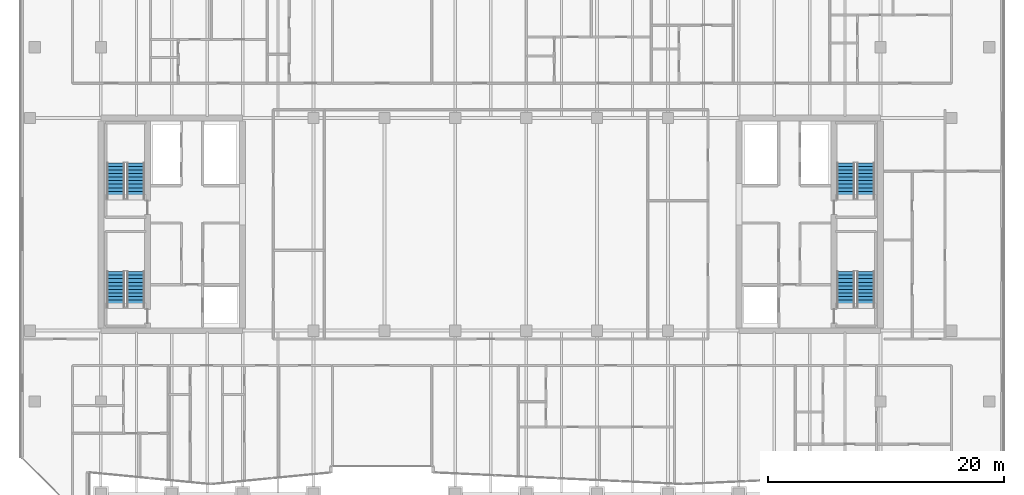
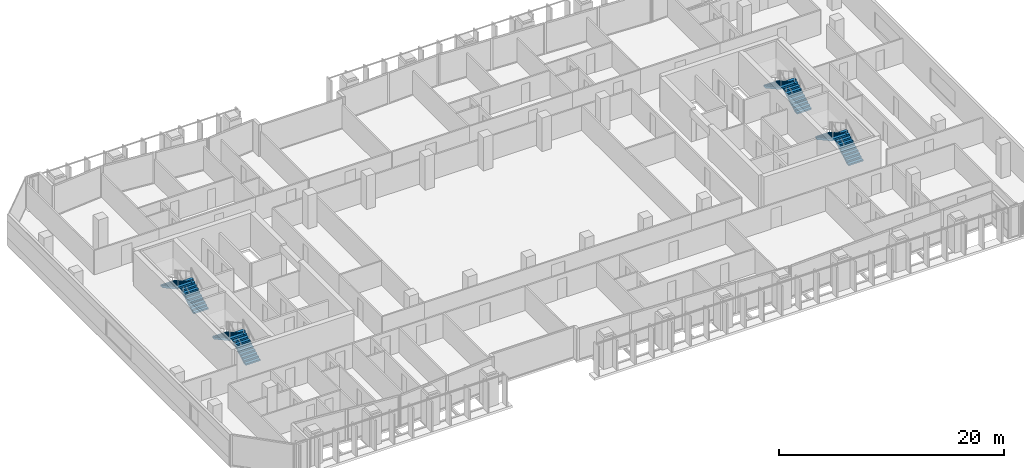
# One storey, part 33 of 39: 8 stair flights, 4 elements without a shape of their own.
"""IFC4 building model written with IfcOpenShell, lengths in metres."""

from ifc_helpers import new_model, si_unit, direction, frame, origin, place, context, subcontext, project, spatial, polyline, outline, extrude, material, type_object, element, aggregate, save


model = new_model("IFC4")

# Units and contexts
model_context = context("Model", 3, precision=1e-05, world=origin(), true_north=direction((0.0, 1.0)))
body_context = subcontext(model_context, "Body", "Model", "MODEL_VIEW")
ifc_project = project(units=[si_unit("LENGTHUNIT", "METRE"), si_unit("AREAUNIT", "SQUARE_METRE"), si_unit("VOLUMEUNIT", "CUBIC_METRE"), si_unit("PLANEANGLEUNIT", "RADIAN"), si_unit("MASSUNIT", "GRAM", prefix="KILO")], contexts=[model_context])

# Site, building, storey
site_placement = place(None, origin())
site = spatial("IfcSite", under=ifc_project, at=site_placement, CompositionType="ELEMENT")
building_placement = place(site_placement, origin())
building = spatial("IfcBuilding", under=site, at=building_placement, Name="Tanjung Sevakor Pilgrim Tower", CompositionType="ELEMENT")
storey_placement = place(building_placement, frame((0.0, 0.0, 112.199951171875)))
storey = spatial("IfcBuildingStorey", under=building, at=storey_placement, Name="L31", CompositionType="ELEMENT", Elevation=112.199951171875)

# Stair, stair flights
ifc_material_1 = material(Name="Concrete C40/50", Category="concrete")
stair_type = type_object("IfcStairType", Name="STAIR-ST-CR150", PredefinedType="HALF_TURN_STAIR", material=ifc_material_1)
stair_1_placement = place(storey_placement, origin())
stair_1 = element("IfcStair", 1, at=stair_1_placement, inside=storey, type_object=stair_type, Name="L31 West Core Exit Stair 1", PredefinedType="HALF_TURN_STAIR")
ifc_material_2 = material(Name="Concrete C40/50", Category="concrete")
stair_flight_type = type_object("IfcStairFlightType", Name="FLIGHT-ST-CR150", PredefinedType="STRAIGHT", material=ifc_material_2)
stair_flight_1_placement = place(storey_placement, frame((26.949951171875, 26.60009765625, 0.0), z_axis=(0.0, 0.0, 1.0), x_axis=(0.0, 1.0, 0.0)))
stair_flight_1 = element("IfcStairFlight", 2, at=stair_flight_1_placement, type_object=stair_flight_type, Name="TS-W1 flight 1", NumberOfRisers=11, NumberOfTreads=10, PredefinedType="STRAIGHT", RiserHeight=0.165, TreadLength=0.3, context=body_context, shape_type="SweptSolid", body=[
    extrude(outline(polyline([(0.0, 0.0), (0.0, 0.1650390625), (0.300048828125, 0.1650390625), (0.300048828125, 0.330078125), (0.60009765625, 0.330078125), (0.60009765625, 0.4951171875), (0.89990234375, 0.4951171875), (0.89990234375, 0.659912109375), (1.199951171875, 0.659912109375), (1.199951171875, 0.824951171875), (1.5, 0.824951171875), (1.5, 0.989990234375), (1.800048828125, 0.989990234375), (1.800048828125, 1.155029296875), (2.10009765625, 1.155029296875), (2.10009765625, 1.320068359375), (2.39990234375, 1.320068359375), (2.39990234375, 1.485107421875), (2.699951171875, 1.485107421875), (2.699951171875, 1.64990234375), (3.0, 1.64990234375), (3.0, 1.81494140625), (3.0, 1.467529296875), (0.331787109375, 0.0), (0.0, 0.0)])), frame((0.0, 0.75, 0.0), z_axis=(0.0, -1.0, 0.0), x_axis=(1.0, 0.0, 0.0)), (0.0, 0.0, 1.0), 1.5),
])
stair_flight_2_placement = place(storey_placement, frame((25.25, 29.60009765625, 1.81494140625), z_axis=(0.0, 0.0, 1.0), x_axis=(0.0, -1.0, 0.0)))
stair_flight_2 = element("IfcStairFlight", 3, at=stair_flight_2_placement, type_object=stair_flight_type, Name="TS-W1 flight 2", NumberOfRisers=11, NumberOfTreads=10, PredefinedType="STRAIGHT", RiserHeight=0.165, TreadLength=0.3, context=body_context, shape_type="SweptSolid", body=[
    extrude(outline(polyline([(0.0, 0.0), (0.0, 0.1650390625), (0.300048828125, 0.1650390625), (0.300048828125, 0.330078125), (0.60009765625, 0.330078125), (0.60009765625, 0.4951171875), (0.89990234375, 0.4951171875), (0.89990234375, 0.659912109375), (1.199951171875, 0.659912109375), (1.199951171875, 0.824951171875), (1.5, 0.824951171875), (1.5, 0.989990234375), (1.800048828125, 0.989990234375), (1.800048828125, 1.155029296875), (2.10009765625, 1.155029296875), (2.10009765625, 1.320068359375), (2.39990234375, 1.320068359375), (2.39990234375, 1.485107421875), (2.699951171875, 1.485107421875), (2.699951171875, 1.64990234375), (3.0, 1.64990234375), (3.0, 1.81494140625), (3.0, 1.467529296875), (0.331787109375, 0.0), (0.0, 0.0)])), frame((0.0, 0.75, 0.0), z_axis=(0.0, -1.0, 0.0), x_axis=(1.0, 0.0, 0.0)), (0.0, 0.0, 1.0), 1.5),
])
aggregate(stair_1, [stair_flight_1, stair_flight_2])

stair_2_placement = place(storey_placement, origin())
stair_2 = element("IfcStair", 4, at=stair_2_placement, inside=storey, type_object=stair_type, Name="L31 West Core Exit Stair 2", PredefinedType="HALF_TURN_STAIR")
stair_flight_3_placement = place(storey_placement, frame((26.949951171875, 35.800048828125, 0.0), z_axis=(0.0, 0.0, 1.0), x_axis=(0.0, 1.0, 0.0)))
stair_flight_3 = element("IfcStairFlight", 5, at=stair_flight_3_placement, type_object=stair_flight_type, Name="TS-W2 flight 1", NumberOfRisers=11, NumberOfTreads=10, PredefinedType="STRAIGHT", RiserHeight=0.165, TreadLength=0.3, context=body_context, shape_type="SweptSolid", body=[
    extrude(outline(polyline([(0.0, 0.0), (0.0, 0.1650390625), (0.300048828125, 0.1650390625), (0.300048828125, 0.330078125), (0.60009765625, 0.330078125), (0.60009765625, 0.4951171875), (0.89990234375, 0.4951171875), (0.89990234375, 0.659912109375), (1.199951171875, 0.659912109375), (1.199951171875, 0.824951171875), (1.5, 0.824951171875), (1.5, 0.989990234375), (1.800048828125, 0.989990234375), (1.800048828125, 1.155029296875), (2.10009765625, 1.155029296875), (2.10009765625, 1.320068359375), (2.39990234375, 1.320068359375), (2.39990234375, 1.485107421875), (2.699951171875, 1.485107421875), (2.699951171875, 1.64990234375), (3.0, 1.64990234375), (3.0, 1.81494140625), (3.0, 1.467529296875), (0.331787109375, 0.0), (0.0, 0.0)])), frame((0.0, 0.75, 0.0), z_axis=(0.0, -1.0, 0.0), x_axis=(1.0, 0.0, 0.0)), (0.0, 0.0, 1.0), 1.5),
])
stair_flight_4_placement = place(storey_placement, frame((25.25, 38.800048828125, 1.81494140625), z_axis=(0.0, 0.0, 1.0), x_axis=(0.0, -1.0, 0.0)))
stair_flight_4 = element("IfcStairFlight", 6, at=stair_flight_4_placement, type_object=stair_flight_type, Name="TS-W2 flight 2", NumberOfRisers=11, NumberOfTreads=10, PredefinedType="STRAIGHT", RiserHeight=0.165, TreadLength=0.3, context=body_context, shape_type="SweptSolid", body=[
    extrude(outline(polyline([(0.0, 0.0), (0.0, 0.1650390625), (0.300048828125, 0.1650390625), (0.300048828125, 0.330078125), (0.60009765625, 0.330078125), (0.60009765625, 0.4951171875), (0.89990234375, 0.4951171875), (0.89990234375, 0.659912109375), (1.199951171875, 0.659912109375), (1.199951171875, 0.824951171875), (1.5, 0.824951171875), (1.5, 0.989990234375), (1.800048828125, 0.989990234375), (1.800048828125, 1.155029296875), (2.10009765625, 1.155029296875), (2.10009765625, 1.320068359375), (2.39990234375, 1.320068359375), (2.39990234375, 1.485107421875), (2.699951171875, 1.485107421875), (2.699951171875, 1.64990234375), (3.0, 1.64990234375), (3.0, 1.81494140625), (3.0, 1.467529296875), (0.331787109375, 0.0), (0.0, 0.0)])), frame((0.0, 0.75, 0.0), z_axis=(0.0, -1.0, 0.0), x_axis=(1.0, 0.0, 0.0)), (0.0, 0.0, 1.0), 1.5),
])
aggregate(stair_2, [stair_flight_3, stair_flight_4])

stair_3_placement = place(storey_placement, origin())
stair_3 = element("IfcStair", 7, at=stair_3_placement, inside=storey, type_object=stair_type, Name="L31 East Core Exit Stair 1", PredefinedType="HALF_TURN_STAIR")
stair_flight_5_placement = place(storey_placement, frame((88.75, 26.60009765625, 0.0), z_axis=(0.0, 0.0, 1.0), x_axis=(0.0, 1.0, 0.0)))
stair_flight_5 = element("IfcStairFlight", 8, at=stair_flight_5_placement, type_object=stair_flight_type, Name="TS-E1 flight 1", NumberOfRisers=11, NumberOfTreads=10, PredefinedType="STRAIGHT", RiserHeight=0.165, TreadLength=0.3, context=body_context, shape_type="SweptSolid", body=[
    extrude(outline(polyline([(0.0, 0.0), (0.0, 0.1650390625), (0.300048828125, 0.1650390625), (0.300048828125, 0.330078125), (0.60009765625, 0.330078125), (0.60009765625, 0.4951171875), (0.89990234375, 0.4951171875), (0.89990234375, 0.659912109375), (1.199951171875, 0.659912109375), (1.199951171875, 0.824951171875), (1.5, 0.824951171875), (1.5, 0.989990234375), (1.800048828125, 0.989990234375), (1.800048828125, 1.155029296875), (2.10009765625, 1.155029296875), (2.10009765625, 1.320068359375), (2.39990234375, 1.320068359375), (2.39990234375, 1.485107421875), (2.699951171875, 1.485107421875), (2.699951171875, 1.64990234375), (3.0, 1.64990234375), (3.0, 1.81494140625), (3.0, 1.467529296875), (0.331787109375, 0.0), (0.0, 0.0)])), frame((0.0, 0.75, 0.0), z_axis=(0.0, -1.0, 0.0), x_axis=(1.0, 0.0, 0.0)), (0.0, 0.0, 1.0), 1.5),
])
stair_flight_6_placement = place(storey_placement, frame((87.050048828125, 29.60009765625, 1.81494140625), z_axis=(0.0, 0.0, 1.0), x_axis=(0.0, -1.0, 0.0)))
stair_flight_6 = element("IfcStairFlight", 9, at=stair_flight_6_placement, type_object=stair_flight_type, Name="TS-E1 flight 2", NumberOfRisers=11, NumberOfTreads=10, PredefinedType="STRAIGHT", RiserHeight=0.165, TreadLength=0.3, context=body_context, shape_type="SweptSolid", body=[
    extrude(outline(polyline([(0.0, 0.0), (0.0, 0.1650390625), (0.300048828125, 0.1650390625), (0.300048828125, 0.330078125), (0.60009765625, 0.330078125), (0.60009765625, 0.4951171875), (0.89990234375, 0.4951171875), (0.89990234375, 0.659912109375), (1.199951171875, 0.659912109375), (1.199951171875, 0.824951171875), (1.5, 0.824951171875), (1.5, 0.989990234375), (1.800048828125, 0.989990234375), (1.800048828125, 1.155029296875), (2.10009765625, 1.155029296875), (2.10009765625, 1.320068359375), (2.39990234375, 1.320068359375), (2.39990234375, 1.485107421875), (2.699951171875, 1.485107421875), (2.699951171875, 1.64990234375), (3.0, 1.64990234375), (3.0, 1.81494140625), (3.0, 1.467529296875), (0.331787109375, 0.0), (0.0, 0.0)])), frame((0.0, 0.75, 0.0), z_axis=(0.0, -1.0, 0.0), x_axis=(1.0, 0.0, 0.0)), (0.0, 0.0, 1.0), 1.5),
])
aggregate(stair_3, [stair_flight_5, stair_flight_6])

stair_4_placement = place(storey_placement, origin())
stair_4 = element("IfcStair", 10, at=stair_4_placement, inside=storey, type_object=stair_type, Name="L31 East Core Exit Stair 2", PredefinedType="HALF_TURN_STAIR")
stair_flight_7_placement = place(storey_placement, frame((88.75, 35.800048828125, 0.0), z_axis=(0.0, 0.0, 1.0), x_axis=(0.0, 1.0, 0.0)))
stair_flight_7 = element("IfcStairFlight", 11, at=stair_flight_7_placement, type_object=stair_flight_type, Name="TS-E2 flight 1", NumberOfRisers=11, NumberOfTreads=10, PredefinedType="STRAIGHT", RiserHeight=0.165, TreadLength=0.3, context=body_context, shape_type="SweptSolid", body=[
    extrude(outline(polyline([(0.0, 0.0), (0.0, 0.1650390625), (0.300048828125, 0.1650390625), (0.300048828125, 0.330078125), (0.60009765625, 0.330078125), (0.60009765625, 0.4951171875), (0.89990234375, 0.4951171875), (0.89990234375, 0.659912109375), (1.199951171875, 0.659912109375), (1.199951171875, 0.824951171875), (1.5, 0.824951171875), (1.5, 0.989990234375), (1.800048828125, 0.989990234375), (1.800048828125, 1.155029296875), (2.10009765625, 1.155029296875), (2.10009765625, 1.320068359375), (2.39990234375, 1.320068359375), (2.39990234375, 1.485107421875), (2.699951171875, 1.485107421875), (2.699951171875, 1.64990234375), (3.0, 1.64990234375), (3.0, 1.81494140625), (3.0, 1.467529296875), (0.331787109375, 0.0), (0.0, 0.0)])), frame((0.0, 0.75, 0.0), z_axis=(0.0, -1.0, 0.0), x_axis=(1.0, 0.0, 0.0)), (0.0, 0.0, 1.0), 1.5),
])
stair_flight_8_placement = place(storey_placement, frame((87.050048828125, 38.800048828125, 1.81494140625), z_axis=(0.0, 0.0, 1.0), x_axis=(0.0, -1.0, 0.0)))
stair_flight_8 = element("IfcStairFlight", 12, at=stair_flight_8_placement, type_object=stair_flight_type, Name="TS-E2 flight 2", NumberOfRisers=11, NumberOfTreads=10, PredefinedType="STRAIGHT", RiserHeight=0.165, TreadLength=0.3, context=body_context, shape_type="SweptSolid", body=[
    extrude(outline(polyline([(0.0, 0.0), (0.0, 0.1650390625), (0.300048828125, 0.1650390625), (0.300048828125, 0.330078125), (0.60009765625, 0.330078125), (0.60009765625, 0.4951171875), (0.89990234375, 0.4951171875), (0.89990234375, 0.659912109375), (1.199951171875, 0.659912109375), (1.199951171875, 0.824951171875), (1.5, 0.824951171875), (1.5, 0.989990234375), (1.800048828125, 0.989990234375), (1.800048828125, 1.155029296875), (2.10009765625, 1.155029296875), (2.10009765625, 1.320068359375), (2.39990234375, 1.320068359375), (2.39990234375, 1.485107421875), (2.699951171875, 1.485107421875), (2.699951171875, 1.64990234375), (3.0, 1.64990234375), (3.0, 1.81494140625), (3.0, 1.467529296875), (0.331787109375, 0.0), (0.0, 0.0)])), frame((0.0, 0.75, 0.0), z_axis=(0.0, -1.0, 0.0), x_axis=(1.0, 0.0, 0.0)), (0.0, 0.0, 1.0), 1.5),
])
aggregate(stair_4, [stair_flight_7, stair_flight_8])

save(model, "model.ifc")
